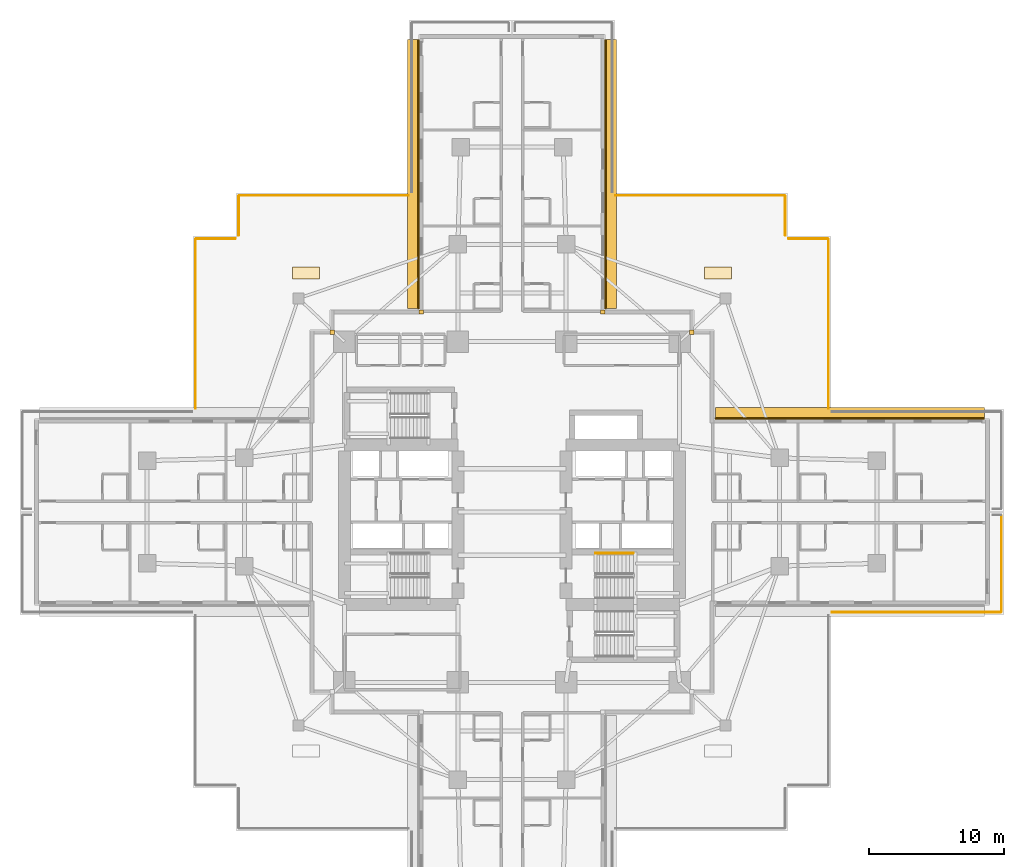
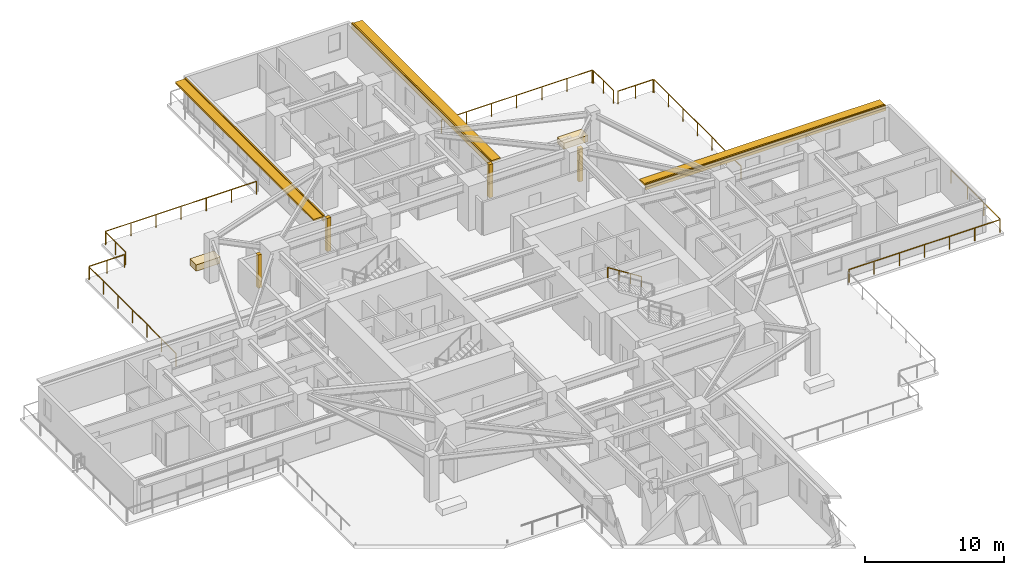
# One storey, part 14 of 15: 11 railings, 9 coverings, 3 shading devices.
"""IFC4 building model written with IfcOpenShell, lengths in metres."""

from ifc_helpers import new_model, si_unit, direction, frame, origin, origin_2d, place, context, subcontext, project, spatial, rectangle, circle, extrude, material, layer, layer_set, type_object, element, save


model = new_model("IFC4")

# Units and contexts
model_context = context("Model", 3, precision=1e-05, world=origin(), true_north=direction((0.0, 1.0)))
body_context = subcontext(model_context, "Body", "Model", "MODEL_VIEW")
ifc_project = project(units=[si_unit("LENGTHUNIT", "METRE"), si_unit("AREAUNIT", "SQUARE_METRE"), si_unit("VOLUMEUNIT", "CUBIC_METRE"), si_unit("PLANEANGLEUNIT", "RADIAN"), si_unit("MASSUNIT", "GRAM", prefix="KILO")], contexts=[model_context])

# Site, building, storey
site_placement = place(None, origin())
site = spatial("IfcSite", under=ifc_project, at=site_placement, CompositionType="ELEMENT")
building_placement = place(site_placement, origin())
building = spatial("IfcBuilding", under=site, at=building_placement, Name="Qingluan Cross Belvedere", CompositionType="ELEMENT")
storey_placement = place(building_placement, frame((0.0, 0.0, 23.699951171875)))
storey = spatial("IfcBuildingStorey", under=building, at=storey_placement, Name="L06", CompositionType="ELEMENT", Elevation=23.699951171875)

# Coverings
ifc_material_1 = material(Name="Precast concrete C45", Category="concrete")
ifc_layer_1 = layer(ifc_material_1, 0.1201171875, Name="ConcreteSpandrelCladding_120")
ifc_layer_set_1 = layer_set([ifc_layer_1], Name="Precast concrete C45")
covering_type_1 = type_object("IfcCoveringType", Name="ConcreteSpandrelCladding_120", PredefinedType="CLADDING", material=ifc_layer_set_1)
for number, where, z_axis, x_axis, name in (
    (1, (24.989990234375, 6.909912109375, 2.449951171875), (0.0, 0.0, 1.0), (-1.0, 0.0, 0.0), "Spandrel cladding L06-EB"),
    (2, (6.909912109375, 24.989990234375, 2.449951171875), (0.0, 0.0, 1.0), (0.0, 1.0, 0.0), "Spandrel cladding L06-NA"),
    (3, (-6.909912109375, 24.989990234375, 2.449951171875), (0.0, 0.0, 1.0), (0.0, -1.0, 0.0), "Spandrel cladding L06-NB"),
):
    element("IfcCovering", number, at=place(storey_placement, frame(where, z_axis=z_axis, x_axis=x_axis)), inside=storey, type_object=covering_type_1, Name=name, PredefinedType="CLADDING", context=body_context, shape_type="SweptSolid", body=[
        extrude(rectangle(XDim=19.89990234375, YDim=0.1201171875, at=origin_2d()), origin(), (0.0, 0.0, 1.0), 0.52001953125),
    ])
for number, where, z_axis, x_axis, name in (
    (4, (13.300048828125, 13.300048828125, 0.0), (0.0, 0.0, 1.0), (1.0, 0.0, 0.0), "Corner closure L06-NE1"),
    (5, (6.719970703125, 14.800048828125, 0.0), (0.0, 0.0, 1.0), (1.0, 0.0, 0.0), "Corner closure L06-NE2"),
    (6, (-13.300048828125, 13.300048828125, 0.0), (0.0, 0.0, 1.0), (1.0, 0.0, 0.0), "Corner closure L06-NW1"),
    (7, (-6.719970703125, 14.800048828125, 0.0), (0.0, 0.0, 1.0), (1.0, 0.0, 0.0), "Corner closure L06-NW2"),
):
    element("IfcCovering", number, at=place(storey_placement, frame(where, z_axis=z_axis, x_axis=x_axis)), inside=storey, type_object=covering_type_1, Name=name, PredefinedType="CLADDING", context=body_context, shape_type="SweptSolid", body=[
        extrude(rectangle(XDim=0.320068359375, YDim=0.320068359375, at=origin_2d()), origin(), (0.0, 0.0, 1.0), 2.909912109375),
    ])

# Shading devices
ifc_material_2 = material(Name="Precast concrete C45", Category="concrete")
ifc_layer_2 = layer(ifc_material_2, 0.159912109375, Name="ConcreteSunshadeBand_900")
ifc_layer_set_2 = layer_set([ifc_layer_2], Name="Precast concrete C45")
shading_device_type = type_object("IfcShadingDeviceType", Name="ConcreteSunshadeBand_900", PredefinedType="USERDEFINED", material=ifc_layer_set_2)
for number, where, z_axis, x_axis, name in (
    (8, (24.989990234375, 7.2900390625, 2.72998046875), (0.0, 0.0, 1.0), (-1.0, 0.0, 0.0), "Concrete SUNSHADE L06-EB"),
    (9, (7.2900390625, 24.989990234375, 2.72998046875), (0.0, 0.0, 1.0), (0.0, 1.0, 0.0), "Concrete SUNSHADE L06-NA"),
    (10, (-7.2900390625, 24.989990234375, 2.72998046875), (0.0, 0.0, 1.0), (0.0, -1.0, 0.0), "Concrete SUNSHADE L06-NB"),
):
    element("IfcShadingDevice", number, at=place(storey_placement, frame(where, z_axis=z_axis, x_axis=x_axis)), inside=storey, type_object=shading_device_type, Name=name, ObjectType="SUNSHADE", PredefinedType="USERDEFINED", context=body_context, shape_type="SweptSolid", body=[
        extrude(rectangle(XDim=19.89990234375, YDim=0.89990234375, at=origin_2d()), origin(), (0.0, 0.0, 1.0), 0.159912109375),
    ])

# Railings
ifc_material_3 = material(Name="Brushed stainless steel tubular handrail", Category="steel")
railing_type_1 = type_object("IfcRailingType", Name="StairPitchHandrail_900", PredefinedType="HANDRAIL", material=ifc_material_3)
railing_1_placement = place(storey_placement, frame((8.97998046875, -3.050048828125, 2.12744140625)))
element("IfcRailing", 11, at=railing_1_placement, inside=storey, type_object=railing_type_1, Name="L06 ST2 stair handrail 2", PredefinedType="HANDRAIL", context=body_context, shape_type="SweptSolid", body=[
    extrude(circle(Radius=0.02392578125, at=origin_2d()), frame((0.0, 0.0, 0.8759765625), z_axis=(-0.844908973607, 0.0, 0.534910110503), x_axis=(0.0, -1.0, 0.0)), (0.0, 0.0, 1.0), 3.31396484375),
    extrude(circle(Radius=0.02099609375, at=origin_2d()), origin(), (0.0, 0.0, 1.0), 0.851806640625),
    extrude(circle(Radius=0.02099609375, at=origin_2d()), frame((-0.933349609375, 0.0, 0.5908203125)), (0.0, 0.0, 1.0), 0.851806640625),
    extrude(circle(Radius=0.02099609375, at=origin_2d()), frame((-1.86669921875, 0.0, 1.181884765625)), (0.0, 0.0, 1.0), 0.851806640625),
    extrude(circle(Radius=0.02099609375, at=origin_2d()), frame((-2.800048828125, 0.0, 1.772705078125)), (0.0, 0.0, 1.0), 0.851806640625),
])
ifc_material_4 = material(Name="Laminated glass and stainless steel balustrade", Category="steel")
railing_type_2 = type_object("IfcRailingType", Name="TerraceGuardBalustrade_1150", PredefinedType="BALUSTRADE", material=ifc_material_4)
railing_2_placement = place(storey_placement, frame((7.659912109375, 23.419921875, 0.0)))
element("IfcRailing", 12, at=railing_2_placement, inside=storey, type_object=railing_type_2, Name="Terrace guard L06-3", PredefinedType="BALUSTRADE", context=body_context, shape_type="SweptSolid", body=[
    extrude(circle(Radius=0.02392578125, at=origin_2d()), frame((0.0, 0.0, 1.1259765625), z_axis=(1.0, 0.0, 0.0), x_axis=(0.0, 1.0, 0.0)), (0.0, 0.0, 1.0), 12.5),
    extrude(circle(Radius=0.02099609375, at=origin_2d()), origin(), (0.0, 0.0, 1.0), 1.101806640625),
    extrude(circle(Radius=0.02099609375, at=origin_2d()), frame((2.083251953125, 0.0, 0.0)), (0.0, 0.0, 1.0), 1.101806640625),
    extrude(circle(Radius=0.02099609375, at=origin_2d()), frame((4.166748046875, 0.0, 0.0)), (0.0, 0.0, 1.0), 1.101806640625),
    extrude(circle(Radius=0.02099609375, at=origin_2d()), frame((6.25, 0.0, 0.0)), (0.0, 0.0, 1.0), 1.101806640625),
    extrude(circle(Radius=0.02099609375, at=origin_2d()), frame((8.333251953125, 0.0, 0.0)), (0.0, 0.0, 1.0), 1.101806640625),
    extrude(circle(Radius=0.02099609375, at=origin_2d()), frame((10.416748046875, 0.0, 0.0)), (0.0, 0.0, 1.0), 1.101806640625),
    extrude(circle(Radius=0.02099609375, at=origin_2d()), frame((12.5, 0.0, 0.0)), (0.0, 0.0, 1.0), 1.101806640625),
])
railing_3_placement = place(storey_placement, frame((20.219970703125, 23.360107421875, 0.0)))
element("IfcRailing", 13, at=railing_3_placement, inside=storey, type_object=railing_type_2, Name="Terrace guard L06-4", PredefinedType="BALUSTRADE", context=body_context, shape_type="SweptSolid", body=[
    extrude(circle(Radius=0.02392578125, at=origin_2d()), frame((0.0, 0.0, 1.1259765625), z_axis=(0.0, -1.0, 0.0), x_axis=(1.0, 0.0, 0.0)), (0.0, 0.0, 1.0), 2.900146484375),
    extrude(circle(Radius=0.02099609375, at=origin_2d()), origin(), (0.0, 0.0, 1.0), 1.101806640625),
    extrude(circle(Radius=0.02099609375, at=origin_2d()), frame((0.0, -1.4501953125, 0.0)), (0.0, 0.0, 1.0), 1.101806640625),
    extrude(circle(Radius=0.02099609375, at=origin_2d()), frame((0.0, -2.900146484375, 0.0)), (0.0, 0.0, 1.0), 1.101806640625),
])
railing_4_placement = place(storey_placement, frame((20.4599609375, 20.219970703125, 0.0)))
element("IfcRailing", 14, at=railing_4_placement, inside=storey, type_object=railing_type_2, Name="Terrace guard L06-5", PredefinedType="BALUSTRADE", context=body_context, shape_type="SweptSolid", body=[
    extrude(circle(Radius=0.02392578125, at=origin_2d()), frame((0.0, 0.0, 1.1259765625), z_axis=(1.0, 0.0, 0.0), x_axis=(0.0, 1.0, 0.0)), (0.0, 0.0, 1.0), 2.900146484375),
    extrude(circle(Radius=0.02099609375, at=origin_2d()), origin(), (0.0, 0.0, 1.0), 1.101806640625),
    extrude(circle(Radius=0.02099609375, at=origin_2d()), frame((1.4501953125, 0.0, 0.0)), (0.0, 0.0, 1.0), 1.101806640625),
    extrude(circle(Radius=0.02099609375, at=origin_2d()), frame((2.900146484375, 0.0, 0.0)), (0.0, 0.0, 1.0), 1.101806640625),
])
railing_5_placement = place(storey_placement, frame((23.419921875, 20.159912109375, 0.0)))
element("IfcRailing", 15, at=railing_5_placement, inside=storey, type_object=railing_type_2, Name="Terrace guard L06-6", PredefinedType="BALUSTRADE", context=body_context, shape_type="SweptSolid", body=[
    extrude(circle(Radius=0.02392578125, at=origin_2d()), frame((0.0, 0.0, 1.1259765625), z_axis=(0.0, -1.0, 0.0), x_axis=(1.0, 0.0, 0.0)), (0.0, 0.0, 1.0), 12.5),
    extrude(circle(Radius=0.02099609375, at=origin_2d()), origin(), (0.0, 0.0, 1.0), 1.101806640625),
    extrude(circle(Radius=0.02099609375, at=origin_2d()), frame((0.0, -2.083251953125, 0.0)), (0.0, 0.0, 1.0), 1.101806640625),
    extrude(circle(Radius=0.02099609375, at=origin_2d()), frame((0.0, -4.166748046875, 0.0)), (0.0, 0.0, 1.0), 1.101806640625),
    extrude(circle(Radius=0.02099609375, at=origin_2d()), frame((0.0, -6.25, 0.0)), (0.0, 0.0, 1.0), 1.101806640625),
    extrude(circle(Radius=0.02099609375, at=origin_2d()), frame((0.0, -8.333251953125, 0.0)), (0.0, 0.0, 1.0), 1.101806640625),
    extrude(circle(Radius=0.02099609375, at=origin_2d()), frame((0.0, -10.416748046875, 0.0)), (0.0, 0.0, 1.0), 1.101806640625),
    extrude(circle(Radius=0.02099609375, at=origin_2d()), frame((0.0, -12.5, 0.0)), (0.0, 0.0, 1.0), 1.101806640625),
])
railing_6_placement = place(storey_placement, frame((-23.419921875, 7.659912109375, 0.0)))
element("IfcRailing", 16, at=railing_6_placement, inside=storey, type_object=railing_type_2, Name="Terrace guard L06-3", PredefinedType="BALUSTRADE", context=body_context, shape_type="SweptSolid", body=[
    extrude(circle(Radius=0.02392578125, at=origin_2d()), frame((0.0, 0.0, 1.1259765625), z_axis=(0.0, 1.0, 0.0), x_axis=(-1.0, 0.0, 0.0)), (0.0, 0.0, 1.0), 12.5),
    extrude(circle(Radius=0.02099609375, at=origin_2d()), origin(), (0.0, 0.0, 1.0), 1.101806640625),
    extrude(circle(Radius=0.02099609375, at=origin_2d()), frame((0.0, 2.083251953125, 0.0)), (0.0, 0.0, 1.0), 1.101806640625),
    extrude(circle(Radius=0.02099609375, at=origin_2d()), frame((0.0, 4.166748046875, 0.0)), (0.0, 0.0, 1.0), 1.101806640625),
    extrude(circle(Radius=0.02099609375, at=origin_2d()), frame((0.0, 6.25, 0.0)), (0.0, 0.0, 1.0), 1.101806640625),
    extrude(circle(Radius=0.02099609375, at=origin_2d()), frame((0.0, 8.333251953125, 0.0)), (0.0, 0.0, 1.0), 1.101806640625),
    extrude(circle(Radius=0.02099609375, at=origin_2d()), frame((0.0, 10.416748046875, 0.0)), (0.0, 0.0, 1.0), 1.101806640625),
    extrude(circle(Radius=0.02099609375, at=origin_2d()), frame((0.0, 12.5, 0.0)), (0.0, 0.0, 1.0), 1.101806640625),
])
railing_7_placement = place(storey_placement, frame((-23.360107421875, 20.219970703125, 0.0)))
element("IfcRailing", 17, at=railing_7_placement, inside=storey, type_object=railing_type_2, Name="Terrace guard L06-4", PredefinedType="BALUSTRADE", context=body_context, shape_type="SweptSolid", body=[
    extrude(circle(Radius=0.02392578125, at=origin_2d()), frame((0.0, 0.0, 1.1259765625), z_axis=(1.0, 0.0, 0.0), x_axis=(0.0, 1.0, 0.0)), (0.0, 0.0, 1.0), 2.900146484375),
    extrude(circle(Radius=0.02099609375, at=origin_2d()), origin(), (0.0, 0.0, 1.0), 1.101806640625),
    extrude(circle(Radius=0.02099609375, at=origin_2d()), frame((1.4501953125, 0.0, 0.0)), (0.0, 0.0, 1.0), 1.101806640625),
    extrude(circle(Radius=0.02099609375, at=origin_2d()), frame((2.900146484375, 0.0, 0.0)), (0.0, 0.0, 1.0), 1.101806640625),
])
railing_8_placement = place(storey_placement, frame((-20.219970703125, 20.4599609375, 0.0)))
element("IfcRailing", 18, at=railing_8_placement, inside=storey, type_object=railing_type_2, Name="Terrace guard L06-5", PredefinedType="BALUSTRADE", context=body_context, shape_type="SweptSolid", body=[
    extrude(circle(Radius=0.02392578125, at=origin_2d()), frame((0.0, 0.0, 1.1259765625), z_axis=(0.0, 1.0, 0.0), x_axis=(-1.0, 0.0, 0.0)), (0.0, 0.0, 1.0), 2.900146484375),
    extrude(circle(Radius=0.02099609375, at=origin_2d()), origin(), (0.0, 0.0, 1.0), 1.101806640625),
    extrude(circle(Radius=0.02099609375, at=origin_2d()), frame((0.0, 1.4501953125, 0.0)), (0.0, 0.0, 1.0), 1.101806640625),
    extrude(circle(Radius=0.02099609375, at=origin_2d()), frame((0.0, 2.900146484375, 0.0)), (0.0, 0.0, 1.0), 1.101806640625),
])
railing_9_placement = place(storey_placement, frame((-20.159912109375, 23.419921875, 0.0)))
element("IfcRailing", 19, at=railing_9_placement, inside=storey, type_object=railing_type_2, Name="Terrace guard L06-6", PredefinedType="BALUSTRADE", context=body_context, shape_type="SweptSolid", body=[
    extrude(circle(Radius=0.02392578125, at=origin_2d()), frame((0.0, 0.0, 1.1259765625), z_axis=(1.0, 0.0, 0.0), x_axis=(0.0, 1.0, 0.0)), (0.0, 0.0, 1.0), 12.5),
    extrude(circle(Radius=0.02099609375, at=origin_2d()), origin(), (0.0, 0.0, 1.0), 1.101806640625),
    extrude(circle(Radius=0.02099609375, at=origin_2d()), frame((2.083251953125, 0.0, 0.0)), (0.0, 0.0, 1.0), 1.101806640625),
    extrude(circle(Radius=0.02099609375, at=origin_2d()), frame((4.166748046875, 0.0, 0.0)), (0.0, 0.0, 1.0), 1.101806640625),
    extrude(circle(Radius=0.02099609375, at=origin_2d()), frame((6.25, 0.0, 0.0)), (0.0, 0.0, 1.0), 1.101806640625),
    extrude(circle(Radius=0.02099609375, at=origin_2d()), frame((8.333251953125, 0.0, 0.0)), (0.0, 0.0, 1.0), 1.101806640625),
    extrude(circle(Radius=0.02099609375, at=origin_2d()), frame((10.416748046875, 0.0, 0.0)), (0.0, 0.0, 1.0), 1.101806640625),
    extrude(circle(Radius=0.02099609375, at=origin_2d()), frame((12.5, 0.0, 0.0)), (0.0, 0.0, 1.0), 1.101806640625),
])
railing_10_placement = place(storey_placement, frame((36.219970703125, -0.2900390625, 0.0)))
element("IfcRailing", 20, at=railing_10_placement, inside=storey, type_object=railing_type_2, Name="Terrace guard L06-4", PredefinedType="BALUSTRADE", context=body_context, shape_type="SweptSolid", body=[
    extrude(circle(Radius=0.02392578125, at=origin_2d()), frame((0.0, 0.0, 1.1259765625), z_axis=(0.0, -1.0, 0.0), x_axis=(1.0, 0.0, 0.0)), (0.0, 0.0, 1.0), 7.070068359375),
    extrude(circle(Radius=0.02099609375, at=origin_2d()), origin(), (0.0, 0.0, 1.0), 1.101806640625),
    extrude(circle(Radius=0.02099609375, at=origin_2d()), frame((0.0, -2.356689453125, 0.0)), (0.0, 0.0, 1.0), 1.101806640625),
    extrude(circle(Radius=0.02099609375, at=origin_2d()), frame((0.0, -4.71337890625, 0.0)), (0.0, 0.0, 1.0), 1.101806640625),
    extrude(circle(Radius=0.02099609375, at=origin_2d()), frame((0.0, -7.070068359375, 0.0)), (0.0, 0.0, 1.0), 1.101806640625),
])
railing_11_placement = place(storey_placement, frame((36.159912109375, -7.419921875, 0.0)))
element("IfcRailing", 21, at=railing_11_placement, inside=storey, type_object=railing_type_2, Name="Terrace guard L06-5", PredefinedType="BALUSTRADE", context=body_context, shape_type="SweptSolid", body=[
    extrude(circle(Radius=0.02392578125, at=origin_2d()), frame((0.0, 0.0, 1.1259765625), z_axis=(-1.0, 0.0, 0.0), x_axis=(0.0, -1.0, 0.0)), (0.0, 0.0, 1.0), 12.5),
    extrude(circle(Radius=0.02099609375, at=origin_2d()), origin(), (0.0, 0.0, 1.0), 1.101806640625),
    extrude(circle(Radius=0.02099609375, at=origin_2d()), frame((-2.083251953125, 0.0, 0.0)), (0.0, 0.0, 1.0), 1.101806640625),
    extrude(circle(Radius=0.02099609375, at=origin_2d()), frame((-4.166748046875, 0.0, 0.0)), (0.0, 0.0, 1.0), 1.101806640625),
    extrude(circle(Radius=0.02099609375, at=origin_2d()), frame((-6.25, 0.0, 0.0)), (0.0, 0.0, 1.0), 1.101806640625),
    extrude(circle(Radius=0.02099609375, at=origin_2d()), frame((-8.333251953125, 0.0, 0.0)), (0.0, 0.0, 1.0), 1.101806640625),
    extrude(circle(Radius=0.02099609375, at=origin_2d()), frame((-10.416748046875, 0.0, 0.0)), (0.0, 0.0, 1.0), 1.101806640625),
    extrude(circle(Radius=0.02099609375, at=origin_2d()), frame((-12.5, 0.0, 0.0)), (0.0, 0.0, 1.0), 1.101806640625),
])

# Coverings
ifc_material_5 = material(Name="Precast concrete C40", Category="concrete")
ifc_layer_3 = layer(ifc_material_5, 0.550048828125, Name="TerracePlanterBox")
ifc_layer_set_3 = layer_set([ifc_layer_3], Name="Precast concrete C40")
covering_type_2 = type_object("IfcCoveringType", Name="TerracePlanterBox", PredefinedType="USERDEFINED", material=ifc_layer_set_3)
for number, where, z_axis, x_axis, name in (
    (22, (15.239990234375, 17.679931640625, 0.0), (0.0, 0.0, 1.0), (1.0, 0.0, 0.0), "Terrace garden planter L06-1"),
    (23, (-15.239990234375, 17.679931640625, 0.0), (0.0, 0.0, 1.0), (1.0, 0.0, 0.0), "Terrace garden planter L06-2"),
):
    element("IfcCovering", number, at=place(storey_placement, frame(where, z_axis=z_axis, x_axis=x_axis)), inside=storey, type_object=covering_type_2, Name=name, ObjectType="PLANTER", PredefinedType="USERDEFINED", context=body_context, shape_type="SweptSolid", body=[
        extrude(rectangle(XDim=2.0, YDim=0.89990234375, at=origin_2d()), origin(), (0.0, 0.0, 1.0), 0.550048828125),
    ])

save(model, "model.ifc")
